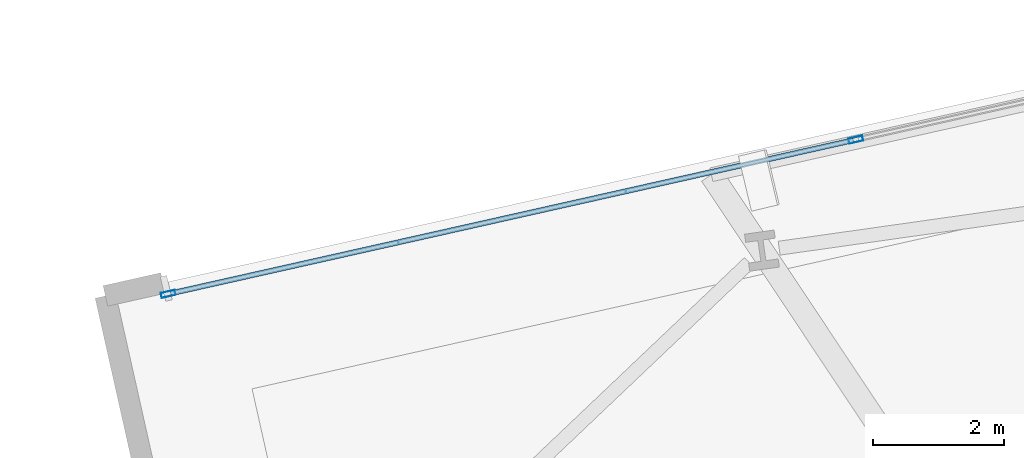
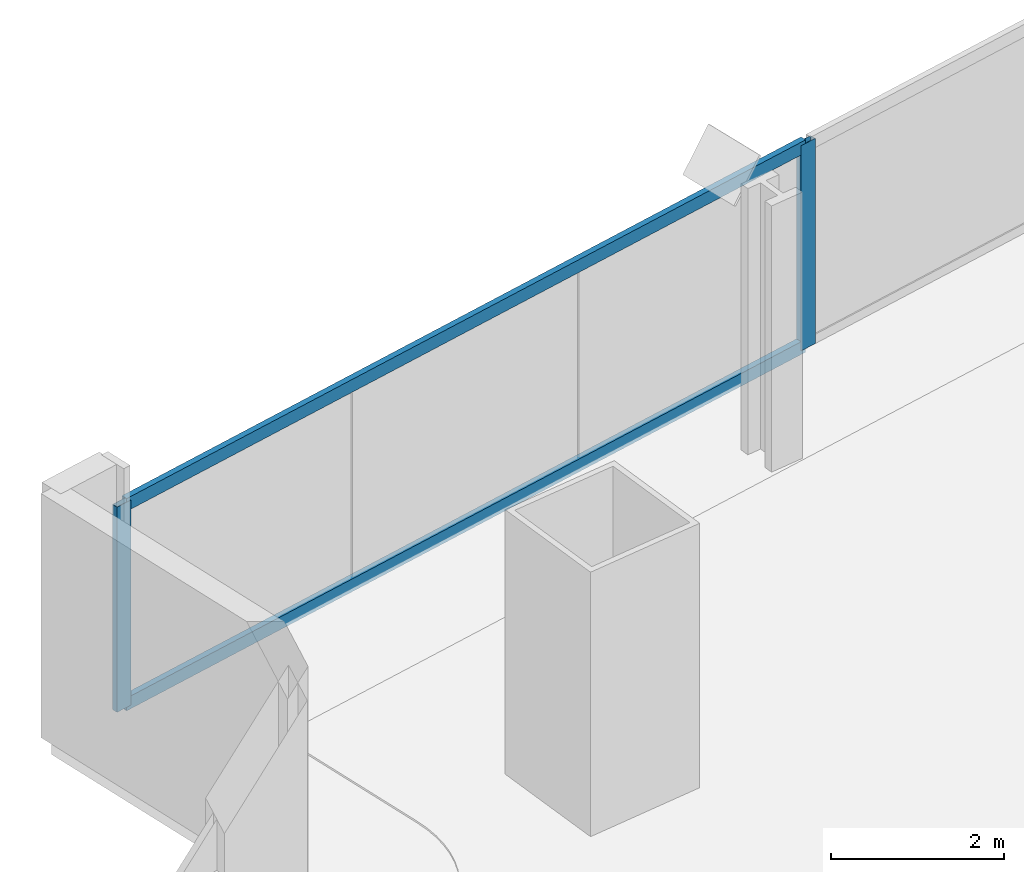
# One storey, part 16 of 32: 4 members, 1 element without a shape of its own.
"""IFC4 building model written with IfcOpenShell, lengths in metres."""

from ifc_helpers import new_model, si_unit, direction, frame, origin, origin_2d, place, context, subcontext, project, spatial, hollow_rectangle, extrude, material, material_profile, profile_set, type_object, element, aggregate, save


model = new_model("IFC4")

# Units and contexts
model_context = context("Model", 3, precision=1e-05, world=origin(), true_north=direction((0.0, 1.0)))
body_context = subcontext(model_context, "Body", "Model", "MODEL_VIEW")
ifc_project = project(units=[si_unit("LENGTHUNIT", "METRE"), si_unit("AREAUNIT", "SQUARE_METRE"), si_unit("VOLUMEUNIT", "CUBIC_METRE"), si_unit("PLANEANGLEUNIT", "RADIAN"), si_unit("MASSUNIT", "GRAM", prefix="KILO")], contexts=[model_context])

# Site, building, storey
site_placement = place(None, origin())
site = spatial("IfcSite", under=ifc_project, at=site_placement, CompositionType="ELEMENT")
building_placement = place(site_placement, origin())
building = spatial("IfcBuilding", under=site, at=building_placement, Name="Haldenkirk Collegiate Tower", CompositionType="ELEMENT")
storey_placement = place(building_placement, frame((0.0, 0.0, 70.199951171875)))
storey = spatial("IfcBuildingStorey", under=building, at=storey_placement, Name="L16", CompositionType="ELEMENT", Elevation=70.199951171875)

# Curtain wall, members
ifc_material = material(Name="Anodised architectural bronze aluminium", Category="aluminium")
curtain_wall_type = type_object("IfcCurtainWallType", Name="CW-SYS1-CONVEX-LOW", PredefinedType="USERDEFINED", material=ifc_material)
curtain_wall_placement = place(storey_placement, origin())
curtain_wall = element("IfcCurtainWall", 1, at=curtain_wall_placement, inside=storey, type_object=curtain_wall_type, Name="L16 Lower tower convex bronze-framed unitised curtain wall", ObjectType="UNITISED CURTAIN WALL", PredefinedType="USERDEFINED")
ifc_material_profile_1 = material_profile(ifc_material, hollow_rectangle(XDim=0.080078125, YDim=0.219970703125, WallThickness=0.0048828125, at=origin_2d()), Name="CW-MUL-1A")
ifc_profile_set_1 = profile_set([ifc_material_profile_1], Name="Anodised architectural bronze aluminium")
member_type_1 = type_object("IfcMemberType", Name="CW-MUL-1A", PredefinedType="MULLION", material=ifc_profile_set_1)
member_1_placement = place(storey_placement, frame((9.434326171875, 46.14111328125, 0.0), z_axis=(0.0, 0.0, 1.0), x_axis=(-0.218995787492, 0.975725804241, 0.0)))
member_1 = element("IfcMember", 2, at=member_1_placement, type_object=member_type_1, Name="CW-1A mullion 1", PredefinedType="MULLION", context=body_context, shape_type="SweptSolid", body=[
    extrude(hollow_rectangle(XDim=0.080078125, YDim=0.219970703125, WallThickness=0.0048828125, at=origin_2d()), origin(), (0.0, 0.0, 1.0), 2.89111328125),
])
member_2_placement = place(storey_placement, frame((19.90869140625, 48.4921875, 0.0), z_axis=(0.0, 0.0, 1.0), x_axis=(-0.218995787492, 0.975725804241, 0.0)))
member_2 = element("IfcMember", 3, at=member_2_placement, type_object=member_type_1, Name="CW-1A mullion 2", PredefinedType="MULLION", context=body_context, shape_type="SweptSolid", body=[
    extrude(hollow_rectangle(XDim=0.080078125, YDim=0.219970703125, WallThickness=0.0048828125, at=origin_2d()), origin(), (0.0, 0.0, 1.0), 2.89111328125),
])
ifc_material_profile_2 = material_profile(ifc_material, hollow_rectangle(XDim=0.080078125, YDim=0.179931640625, WallThickness=0.0048828125, at=origin_2d()), Name="CW-TRN-1A")
ifc_profile_set_2 = profile_set([ifc_material_profile_2], Name="Anodised architectural bronze aluminium")
member_type_2 = type_object("IfcMemberType", Name="CW-TRN-1A", PredefinedType="USERDEFINED", material=ifc_profile_set_2)
member_3_placement = place(storey_placement, frame((9.473388671875, 46.14990234375, 0.0400390625), z_axis=(0.9757233473, 0.21900673399, 0.0), x_axis=(-0.21900673399, 0.9757233473, 0.0)))
member_3 = element("IfcMember", 4, at=member_3_placement, type_object=member_type_2, Name="CW-1A transom 1.1", ObjectType="TRANSOM", PredefinedType="USERDEFINED", context=body_context, shape_type="SweptSolid", body=[
    extrude(hollow_rectangle(XDim=0.080078125, YDim=0.179931640625, WallThickness=0.0048828125, at=origin_2d()), origin(), (0.0, 0.0, 1.0), 10.65478515625),
])
member_4_placement = place(storey_placement, frame((9.473388671875, 46.14990234375, 2.85107421875), z_axis=(0.9757233473, 0.21900673399, 0.0), x_axis=(-0.21900673399, 0.9757233473, 0.0)))
member_4 = element("IfcMember", 5, at=member_4_placement, type_object=member_type_2, Name="CW-1A transom 1.2", ObjectType="TRANSOM", PredefinedType="USERDEFINED", context=body_context, shape_type="SweptSolid", body=[
    extrude(hollow_rectangle(XDim=0.080078125, YDim=0.179931640625, WallThickness=0.0048828125, at=origin_2d()), origin(), (0.0, 0.0, 1.0), 10.65478515625),
])
aggregate(curtain_wall, [member_1, member_2, member_3, member_4])

save(model, "model.ifc")
